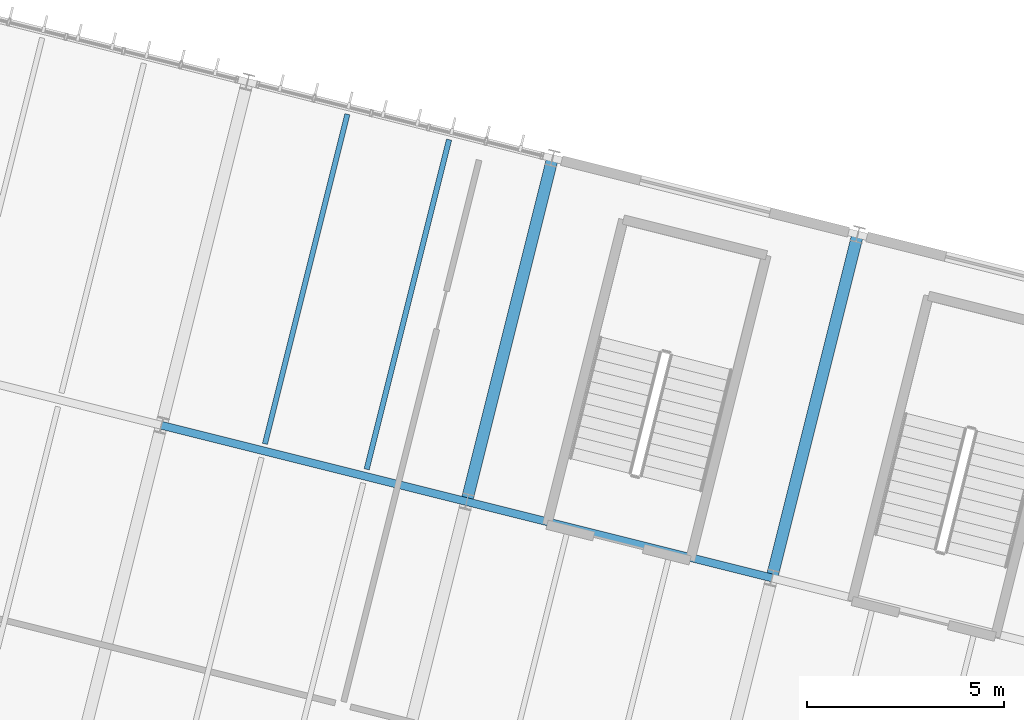
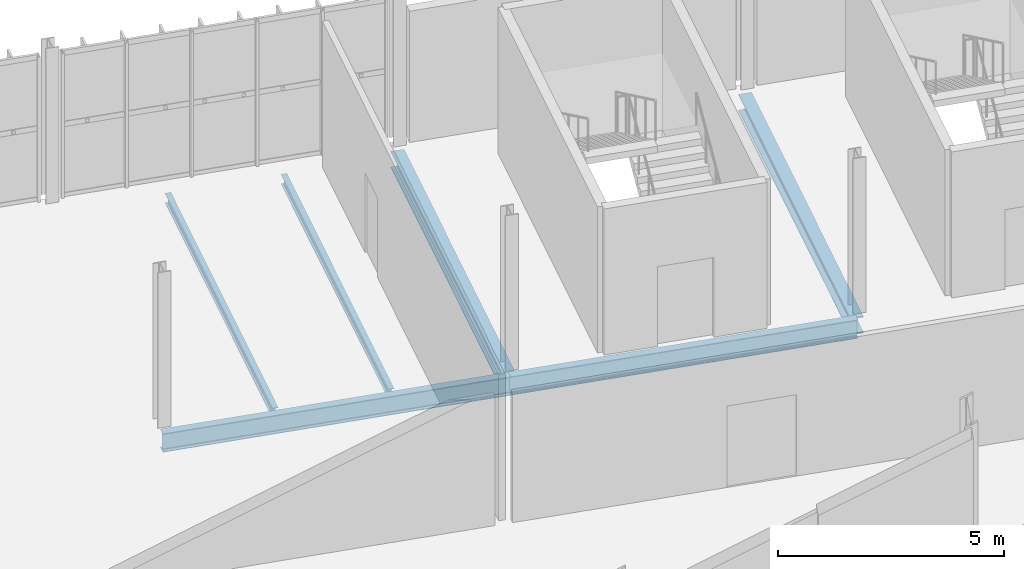
# One storey, part 30 of 61: 6 beams.
"""IFC4 building model written with IfcOpenShell, lengths in metres."""

from ifc_helpers import new_model, si_unit, derived_unit, direction, frame, origin, origin_2d, place, context, subcontext, project, spatial, i_section, extrude, material, material_profile, profile_set, type_object, element, save


model = new_model("IFC4")

# Units and contexts
model_context = context("Model", 3, precision=1e-05, world=origin(), true_north=direction((0.0, 1.0)))
body_context = subcontext(model_context, "Body", "Model", "MODEL_VIEW")
ifc_project = project(units=[si_unit("LENGTHUNIT", "METRE"), si_unit("AREAUNIT", "SQUARE_METRE"), si_unit("VOLUMEUNIT", "CUBIC_METRE"), si_unit("PLANEANGLEUNIT", "RADIAN"), si_unit("MASSUNIT", "GRAM", prefix="KILO"), si_unit("THERMODYNAMICTEMPERATUREUNIT", "KELVIN"), si_unit("TIMEUNIT", "SECOND"), derived_unit("THERMALTRANSMITTANCEUNIT", [(si_unit("MASSUNIT", "GRAM", prefix="KILO"), 1), (si_unit("THERMODYNAMICTEMPERATUREUNIT", "KELVIN"), -1), (si_unit("TIMEUNIT", "SECOND"), -3)])], contexts=[model_context])

# Site, building, storey
site_placement = place(None, origin())
site = spatial("IfcSite", under=ifc_project, at=site_placement, CompositionType="ELEMENT")
building_placement = place(site_placement, origin())
building = spatial("IfcBuilding", under=site, at=building_placement, Name="Cambertide Market Hall", CompositionType="ELEMENT")
storey_placement = place(building_placement, frame((0.0, 0.0, 9.89990234375)))
storey = spatial("IfcBuildingStorey", under=building, at=storey_placement, Name="L03", CompositionType="ELEMENT", Elevation=9.89990234375)

# Beams
ifc_material_1 = material(Name="Steel S355", Category="steel")
ifc_material_profile_1 = material_profile(ifc_material_1, i_section(OverallWidth=0.300048828125, OverallDepth=0.449951171875, WebThickness=0.013916015625, FlangeThickness=0.02587890625, FilletRadius=0.027099609375, at=origin_2d()), Name="HEB 450")
ifc_profile_set_1 = profile_set([ifc_material_profile_1], Name="Steel S355")
beam_type_1 = type_object("IfcBeamType", Name="Steel Girder HEB 450", PredefinedType="BEAM", material=ifc_profile_set_1)
for number, where, z_axis, x_axis, name in (
    (1, (135.649169921875, 111.6416015625, -0.469970703125), (0.242510094215, 0.970148882494, 0.0), (-0.970148882494, 0.242510094215, 0.0), "Level 3 Beam BM-V4V-L03-4-3"),
    (2, (143.41015625, 109.701416015625, -0.469970703125), (0.242542007841, 0.970140904422, 0.0), (-0.970140904422, 0.242542007841, 0.0), "Level 3 Beam BM-V4V-L03-5-3"),
):
    element("IfcBeam", number, at=place(storey_placement, frame(where, z_axis=z_axis, x_axis=x_axis)), inside=storey, type_object=beam_type_1, Name=name, PredefinedType="BEAM", context=body_context, shape_type="SweptSolid", body=[
        extrude(i_section(OverallWidth=0.300048828125, OverallDepth=0.449951171875, WebThickness=0.013916015625, FlangeThickness=0.02587890625, FilletRadius=0.027099609375, at=origin_2d()), origin(), (0.0, 0.0, 1.0), 9.0),
    ])
ifc_material_2 = material(Name="Steel S355", Category="steel")
ifc_material_profile_2 = material_profile(ifc_material_2, i_section(OverallWidth=0.199951171875, OverallDepth=0.5, WebThickness=0.01025390625, FlangeThickness=0.01611328125, FilletRadius=0.02099609375, at=origin_2d()), Name="IPE 500")
ifc_profile_set_2 = profile_set([ifc_material_profile_2], Name="Steel S355")
beam_type_2 = type_object("IfcBeamType", Name="Steel Girder IPE 500", PredefinedType="BEAM", material=ifc_profile_set_2)
beam_1_placement = place(storey_placement, frame((127.887939453125, 113.58203125, -0.494873046875), z_axis=(0.970138909791, -0.242549986002, 0.0), x_axis=(0.242549986002, 0.970138909791, 0.0)))
element("IfcBeam", 3, at=beam_1_placement, inside=storey, type_object=beam_type_2, Name="Level 3 Beam BM-V4U-L03-3-3", PredefinedType="BEAM", context=body_context, shape_type="SweptSolid", body=[
    extrude(i_section(OverallWidth=0.199951171875, OverallDepth=0.5, WebThickness=0.01025390625, FlangeThickness=0.01611328125, FilletRadius=0.02099609375, at=origin_2d()), origin(), (0.0, 0.0, 1.0), 8.000244140625),
])
beam_2_placement = place(storey_placement, frame((135.649169921875, 111.6416015625, -0.494873046875), z_axis=(0.970144295309, -0.242528444268, 0.0), x_axis=(0.242528444268, 0.970144295309, 0.0)))
element("IfcBeam", 4, at=beam_2_placement, inside=storey, type_object=beam_type_2, Name="Level 3 Beam BM-V4U-L03-4-3", PredefinedType="BEAM", context=body_context, shape_type="SweptSolid", body=[
    extrude(i_section(OverallWidth=0.199951171875, OverallDepth=0.5, WebThickness=0.01025390625, FlangeThickness=0.01611328125, FilletRadius=0.02099609375, at=origin_2d()), origin(), (0.0, 0.0, 1.0), 7.999755859375),
])
ifc_material_3 = material(Name="Steel S275", Category="steel")
ifc_material_profile_3 = material_profile(ifc_material_3, i_section(OverallWidth=0.135009765625, OverallDepth=0.27001953125, WebThickness=0.006591796875, FlangeThickness=0.01025390625, FilletRadius=0.014892578125, at=origin_2d()), Name="IPE 270")
ifc_profile_set_3 = profile_set([ifc_material_profile_3], Name="Steel S275")
beam_type_3 = type_object("IfcBeamType", Name="Steel Secondary Joist IPE 270", PredefinedType="JOIST", material=ifc_profile_set_3)
for number, where, z_axis, x_axis, name in (
    (5, (130.5185546875, 113.10986328125, -0.3798828125), (0.242528976348, 0.970144162293, 0.0), (-0.970144162293, 0.242528976348, 0.0), "Level 3 Joist JS-V4-L03-3-3-1"),
    (6, (133.105712890625, 112.463134765625, -0.3798828125), (0.242528976348, 0.970144162293, 0.0), (-0.970144162293, 0.242528976348, 0.0), "Level 3 Joist JS-V4-L03-3-3-2"),
):
    element("IfcBeam", number, at=place(storey_placement, frame(where, z_axis=z_axis, x_axis=x_axis)), inside=storey, type_object=beam_type_3, Name=name, PredefinedType="JOIST", context=body_context, shape_type="SweptSolid", body=[
        extrude(i_section(OverallWidth=0.135009765625, OverallDepth=0.27001953125, WebThickness=0.006591796875, FlangeThickness=0.01025390625, FilletRadius=0.014892578125, at=origin_2d()), origin(), (0.0, 0.0, 1.0), 8.64013671875),
    ])

save(model, "model.ifc")
